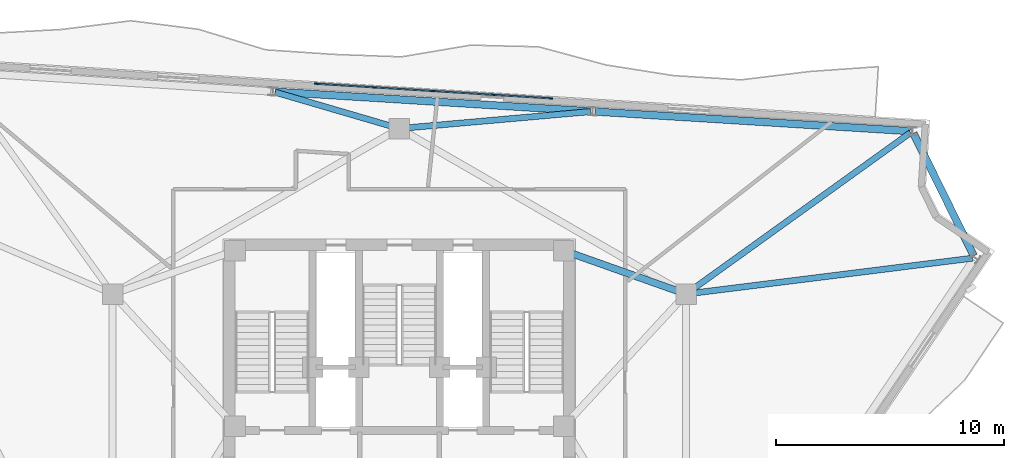
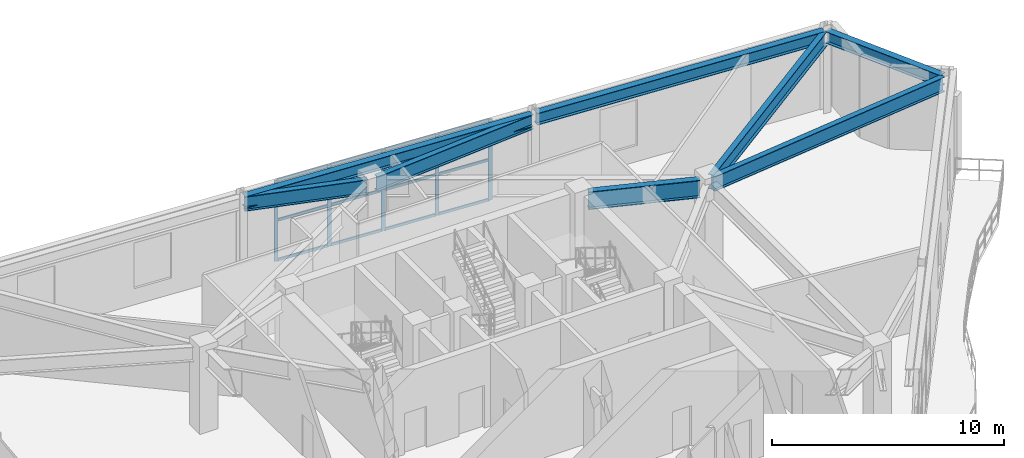
# One storey, part 8 of 15: 17 members, 8 beams, 1 element without a shape of its own.
"""IFC4 building model written with IfcOpenShell, lengths in metres."""

from ifc_helpers import new_model, si_unit, direction, frame, origin, origin_2d, place, context, subcontext, project, spatial, rectangle, i_section, extrude, material, layer, layer_set, material_profile, profile_set, type_object, element, aggregate, save


model = new_model("IFC4")

# Units and contexts
model_context = context("Model", 3, precision=1e-05, world=origin(), true_north=direction((0.0, 1.0)))
body_context = subcontext(model_context, "Body", "Model", "MODEL_VIEW")
ifc_project = project(units=[si_unit("LENGTHUNIT", "METRE"), si_unit("AREAUNIT", "SQUARE_METRE"), si_unit("VOLUMEUNIT", "CUBIC_METRE"), si_unit("PLANEANGLEUNIT", "RADIAN"), si_unit("MASSUNIT", "GRAM", prefix="KILO")], contexts=[model_context])

# Site, building, storey
site_placement = place(None, origin())
site = spatial("IfcSite", under=ifc_project, at=site_placement, CompositionType="ELEMENT")
building_placement = place(site_placement, origin())
building = spatial("IfcBuilding", under=site, at=building_placement, Name="Apsidion Concourse Tower", CompositionType="ELEMENT")
storey_placement = place(building_placement, frame((0.0, 0.0, 323.39990234375)))
storey = spatial("IfcBuildingStorey", under=building, at=storey_placement, Name="L76", CompositionType="ELEMENT", Elevation=323.39990234375)

# Beams
ifc_material_1 = material(Name="Structural steel ASTM A992 Grade 50", Category="steel")
ifc_material_profile_1 = material_profile(ifc_material_1, i_section(OverallWidth=0.31005859375, OverallDepth=0.931884765625, WebThickness=0.02099609375, FlangeThickness=0.034423828125, at=origin_2d()), Name="W36X210")
ifc_profile_set_1 = profile_set([ifc_material_profile_1], Name="Structural steel ASTM A992 Grade 50")
beam_type_1 = type_object("IfcBeamType", Name="BM-G-W36", PredefinedType="USERDEFINED", material=ifc_profile_set_1)
beam_1_placement = place(storey_placement, frame((12.18310546875, 7.383544921875, 3.833984375), z_axis=(-0.942533844539, 0.334110688094, 0.0), x_axis=(-0.334110688094, -0.942533844539, 0.0)))
element("IfcBeam", 1, at=beam_1_placement, inside=storey, type_object=beam_type_1, Name="L76 Core Coupling Girder IC3-SC4", ObjectType="GIRDER", PredefinedType="USERDEFINED", context=body_context, shape_type="SweptSolid", body=[
    extrude(i_section(OverallWidth=0.31005859375, OverallDepth=0.931884765625, WebThickness=0.02099609375, FlangeThickness=0.034423828125, at=origin_2d()), origin(), (0.0, 0.0, 1.0), 4.886962890625),
])
ifc_material_profile_2 = material_profile(ifc_material_1, i_section(OverallWidth=0.324951171875, OverallDepth=0.616943359375, WebThickness=0.013916015625, FlangeThickness=0.021484375, at=origin_2d()), Name="W24X117")
ifc_profile_set_2 = profile_set([ifc_material_profile_2], Name="Structural steel ASTM A992 Grade 50")
beam_type_2 = type_object("IfcBeamType", Name="BM-SP-W24", PredefinedType="SPANDREL", material=ifc_profile_set_2)
beam_2_placement = place(storey_placement, frame((25.164794921875, 8.922119140625, 3.99169921875), z_axis=(-0.441884134894, 0.897072132734, 0.0), x_axis=(-0.897072132734, -0.441884134894, 0.0)))
element("IfcBeam", 2, at=beam_2_placement, inside=storey, type_object=beam_type_2, Name="L76 Perimeter Spandrel Girder SP-08", PredefinedType="SPANDREL", context=body_context, shape_type="SweptSolid", body=[
    extrude(i_section(OverallWidth=0.324951171875, OverallDepth=0.616943359375, WebThickness=0.013916015625, FlangeThickness=0.021484375, at=origin_2d()), origin(), (0.0, 0.0, 1.0), 5.982421875),
])
beam_3_placement = place(storey_placement, frame((22.377197265625, 14.384765625, 3.99169921875), z_axis=(-0.998077561187, 0.06197726886, 0.0), x_axis=(-0.06197726886, -0.998077561187, 0.0)))
element("IfcBeam", 3, at=beam_3_placement, inside=storey, type_object=beam_type_2, Name="L76 Perimeter Spandrel Girder SP-09", PredefinedType="SPANDREL", context=body_context, shape_type="SweptSolid", body=[
    extrude(i_section(OverallWidth=0.324951171875, OverallDepth=0.616943359375, WebThickness=0.013916015625, FlangeThickness=0.021484375, at=origin_2d()), origin(), (0.0, 0.0, 1.0), 13.83447265625),
])
beam_4_placement = place(storey_placement, frame((8.36962890625, 15.254638671875, 3.99169921875), z_axis=(-0.998076537228, 0.061993756414, 0.0), x_axis=(-0.061993756414, -0.998076537228, 0.0)))
element("IfcBeam", 4, at=beam_4_placement, inside=storey, type_object=beam_type_2, Name="L76 Perimeter Spandrel Girder SP-10", PredefinedType="SPANDREL", context=body_context, shape_type="SweptSolid", body=[
    extrude(i_section(OverallWidth=0.324951171875, OverallDepth=0.616943359375, WebThickness=0.013916015625, FlangeThickness=0.021484375, at=origin_2d()), origin(), (0.0, 0.0, 1.0), 13.834716796875),
])
ifc_material_profile_3 = material_profile(ifc_material_1, i_section(OverallWidth=0.26806640625, OverallDepth=0.77001953125, WebThickness=0.015625, FlangeThickness=0.025390625, at=origin_2d()), Name="W30X132")
ifc_profile_set_3 = profile_set([ifc_material_profile_3], Name="Structural steel ASTM A992 Grade 50")
beam_type_3 = type_object("IfcBeamType", Name="BM-SP-W30", PredefinedType="SPANDREL", material=ifc_profile_set_3)
beam_5_placement = place(storey_placement, frame((12.7783203125, 7.27734375, 3.9150390625), z_axis=(0.99226487514, 0.124138702924, 0.0), x_axis=(-0.124138702924, 0.99226487514, 0.0)))
element("IfcBeam", 5, at=beam_5_placement, inside=storey, type_object=beam_type_3, Name="L76 Radial Floor Girder RAD-08", PredefinedType="SPANDREL", context=body_context, shape_type="SweptSolid", body=[
    extrude(i_section(OverallWidth=0.26806640625, OverallDepth=0.77001953125, WebThickness=0.015625, FlangeThickness=0.025390625, at=origin_2d()), origin(), (0.0, 0.0, 1.0), 12.427490234375),
])
beam_6_placement = place(storey_placement, frame((12.738525390625, 7.37841796875, 3.9150390625), z_axis=(0.811991962087, 0.583668616174, 0.0), x_axis=(-0.583668616174, 0.811991962087, 0.0)))
element("IfcBeam", 6, at=beam_6_placement, inside=storey, type_object=beam_type_3, Name="L76 Radial Floor Girder RAD-09", PredefinedType="SPANDREL", context=body_context, shape_type="SweptSolid", body=[
    extrude(i_section(OverallWidth=0.26806640625, OverallDepth=0.77001953125, WebThickness=0.015625, FlangeThickness=0.025390625, at=origin_2d()), origin(), (0.0, 0.0, 1.0), 11.8935546875),
])
beam_7_placement = place(storey_placement, frame((0.218994140625, 14.519287109375, 3.9150390625), z_axis=(0.99611631584, 0.088047063082, 0.0), x_axis=(-0.088047063082, 0.99611631584, 0.0)))
element("IfcBeam", 7, at=beam_7_placement, inside=storey, type_object=beam_type_3, Name="L76 Radial Floor Girder RAD-10", PredefinedType="SPANDREL", context=body_context, shape_type="SweptSolid", body=[
    extrude(i_section(OverallWidth=0.26806640625, OverallDepth=0.77001953125, WebThickness=0.015625, FlangeThickness=0.025390625, at=origin_2d()), origin(), (0.0, 0.0, 1.0), 8.1826171875),
])
beam_8_placement = place(storey_placement, frame((-0.211181640625, 14.561767578125, 3.9150390625), z_axis=(-0.959858385002, 0.28048508114, 0.0), x_axis=(-0.28048508114, -0.959858385002, 0.0)))
element("IfcBeam", 8, at=beam_8_placement, inside=storey, type_object=beam_type_3, Name="L76 Radial Floor Girder RAD-11", PredefinedType="SPANDREL", context=body_context, shape_type="SweptSolid", body=[
    extrude(i_section(OverallWidth=0.26806640625, OverallDepth=0.77001953125, WebThickness=0.015625, FlangeThickness=0.025390625, at=origin_2d()), origin(), (0.0, 0.0, 1.0), 5.44970703125),
])

# Curtain wall, members
ifc_material_2 = material(Name="Insulated laminated low-E glass", Category="glass")
ifc_layer = layer(ifc_material_2, 0.22998046875)
ifc_layer_set = layer_set([ifc_layer], Name="Insulated laminated low-E glass")
curtain_wall_type = type_object("IfcCurtainWallType", Name="CW-SYS-05", PredefinedType="NOTDEFINED", material=ifc_layer_set)
curtain_wall_placement = place(storey_placement, origin())
curtain_wall = element("IfcCurtainWall", 9, at=curtain_wall_placement, inside=storey, type_object=curtain_wall_type, Name="L76 Sky Observatory Curtain Wall 1", PredefinedType="NOTDEFINED")
ifc_material_3 = material(Name="Anodised aluminium EN AW-6063 T6", Category="aluminium")
ifc_material_profile_4 = material_profile(ifc_material_3, rectangle(XDim=0.06494140625, YDim=0.179931640625, at=origin_2d()), Name="ALU MULLION 65x180")
ifc_profile_set_4 = profile_set([ifc_material_profile_4], Name="Anodised aluminium EN AW-6063 T6")
member_type_1 = type_object("IfcMemberType", Name="CWM-65X180", PredefinedType="MULLION", material=ifc_profile_set_4)
member_1_placement = place(storey_placement, frame((-3.640625, 16.462890625, 0.0), z_axis=(0.0, 0.0, 1.0), x_axis=(0.062249124598, 0.99806064269, 0.0)))
member_1 = element("IfcMember", 10, at=member_1_placement, type_object=member_type_1, Name="CW-05 mullion 1", PredefinedType="MULLION", context=body_context, shape_type="SweptSolid", body=[
    extrude(rectangle(XDim=0.06494140625, YDim=0.179931640625, at=origin_2d()), origin(), (0.0, 0.0, 1.0), 4.25),
])
member_2_placement = place(storey_placement, frame((-1.08740234375, 16.303466796875, 0.0), z_axis=(0.0, 0.0, 1.0), x_axis=(0.062249124598, 0.99806064269, 0.0)))
member_2 = element("IfcMember", 11, at=member_2_placement, type_object=member_type_1, Name="CW-05 mullion 2", PredefinedType="MULLION", context=body_context, shape_type="SweptSolid", body=[
    extrude(rectangle(XDim=0.06494140625, YDim=0.179931640625, at=origin_2d()), origin(), (0.0, 0.0, 1.0), 4.25),
])
member_3_placement = place(storey_placement, frame((1.49853515625, 16.142333984375, 0.0), z_axis=(0.0, 0.0, 1.0), x_axis=(0.062249124598, 0.99806064269, 0.0)))
member_3 = element("IfcMember", 12, at=member_3_placement, type_object=member_type_1, Name="CW-05 mullion 3", PredefinedType="MULLION", context=body_context, shape_type="SweptSolid", body=[
    extrude(rectangle(XDim=0.06494140625, YDim=0.179931640625, at=origin_2d()), origin(), (0.0, 0.0, 1.0), 4.25),
])
member_4_placement = place(storey_placement, frame((4.084228515625, 15.98095703125, 0.0), z_axis=(0.0, 0.0, 1.0), x_axis=(0.062249124598, 0.99806064269, 0.0)))
member_4 = element("IfcMember", 13, at=member_4_placement, type_object=member_type_1, Name="CW-05 mullion 4", PredefinedType="MULLION", context=body_context, shape_type="SweptSolid", body=[
    extrude(rectangle(XDim=0.06494140625, YDim=0.179931640625, at=origin_2d()), origin(), (0.0, 0.0, 1.0), 4.25),
])
member_5_placement = place(storey_placement, frame((6.637451171875, 15.82177734375, 0.0), z_axis=(0.0, 0.0, 1.0), x_axis=(0.062249124598, 0.99806064269, 0.0)))
member_5 = element("IfcMember", 14, at=member_5_placement, type_object=member_type_1, Name="CW-05 mullion 5", PredefinedType="MULLION", context=body_context, shape_type="SweptSolid", body=[
    extrude(rectangle(XDim=0.06494140625, YDim=0.179931640625, at=origin_2d()), origin(), (0.0, 0.0, 1.0), 4.25),
])
ifc_material_profile_5 = material_profile(ifc_material_3, rectangle(XDim=0.06494140625, YDim=0.139892578125, at=origin_2d()), Name="ALU TRANSOM 65x140")
ifc_profile_set_5 = profile_set([ifc_material_profile_5], Name="Anodised aluminium EN AW-6063 T6")
member_type_2 = type_object("IfcMemberType", Name="CWT-65X140", PredefinedType="USERDEFINED", material=ifc_profile_set_5)
member_6_placement = place(storey_placement, frame((-3.608154296875, 16.460693359375, 0.03271484375), z_axis=(0.998064752572, -0.062183194455, 0.0), x_axis=(0.062183194455, 0.998064752572, 0.0)))
member_6 = element("IfcMember", 15, at=member_6_placement, type_object=member_type_2, Name="CW-05 transom 1.1", ObjectType="TRANSOM", PredefinedType="USERDEFINED", context=body_context, shape_type="SweptSolid", body=[
    extrude(rectangle(XDim=0.06494140625, YDim=0.139892578125, at=origin_2d()), origin(), (0.0, 0.0, 1.0), 2.4931640625),
])
member_7_placement = place(storey_placement, frame((-3.608154296875, 16.460693359375, 2.125), z_axis=(0.998064752572, -0.062183194455, 0.0), x_axis=(0.062183194455, 0.998064752572, 0.0)))
member_7 = element("IfcMember", 16, at=member_7_placement, type_object=member_type_2, Name="CW-05 transom 1.2", ObjectType="TRANSOM", PredefinedType="USERDEFINED", context=body_context, shape_type="SweptSolid", body=[
    extrude(rectangle(XDim=0.06494140625, YDim=0.139892578125, at=origin_2d()), origin(), (0.0, 0.0, 1.0), 2.4931640625),
])
member_8_placement = place(storey_placement, frame((-3.608154296875, 16.460693359375, 4.217529296875), z_axis=(0.998064752572, -0.062183194455, 0.0), x_axis=(0.062183194455, 0.998064752572, 0.0)))
member_8 = element("IfcMember", 17, at=member_8_placement, type_object=member_type_2, Name="CW-05 transom 1.3", ObjectType="TRANSOM", PredefinedType="USERDEFINED", context=body_context, shape_type="SweptSolid", body=[
    extrude(rectangle(XDim=0.06494140625, YDim=0.139892578125, at=origin_2d()), origin(), (0.0, 0.0, 1.0), 2.4931640625),
])
member_9_placement = place(storey_placement, frame((-1.054931640625, 16.301513671875, 0.03271484375), z_axis=(0.998060843683, -0.06224590193, 0.0), x_axis=(0.06224590193, 0.998060843683, 0.0)))
member_9 = element("IfcMember", 18, at=member_9_placement, type_object=member_type_2, Name="CW-05 transom 2.1", ObjectType="TRANSOM", PredefinedType="USERDEFINED", context=body_context, shape_type="SweptSolid", body=[
    extrude(rectangle(XDim=0.06494140625, YDim=0.139892578125, at=origin_2d()), origin(), (0.0, 0.0, 1.0), 2.52587890625),
])
member_10_placement = place(storey_placement, frame((-1.054931640625, 16.301513671875, 2.125), z_axis=(0.998060843683, -0.06224590193, 0.0), x_axis=(0.06224590193, 0.998060843683, 0.0)))
member_10 = element("IfcMember", 19, at=member_10_placement, type_object=member_type_2, Name="CW-05 transom 2.2", ObjectType="TRANSOM", PredefinedType="USERDEFINED", context=body_context, shape_type="SweptSolid", body=[
    extrude(rectangle(XDim=0.06494140625, YDim=0.139892578125, at=origin_2d()), origin(), (0.0, 0.0, 1.0), 2.52587890625),
])
member_11_placement = place(storey_placement, frame((-1.054931640625, 16.301513671875, 4.217529296875), z_axis=(0.998060843683, -0.06224590193, 0.0), x_axis=(0.06224590193, 0.998060843683, 0.0)))
member_11 = element("IfcMember", 20, at=member_11_placement, type_object=member_type_2, Name="CW-05 transom 2.3", ObjectType="TRANSOM", PredefinedType="USERDEFINED", context=body_context, shape_type="SweptSolid", body=[
    extrude(rectangle(XDim=0.06494140625, YDim=0.139892578125, at=origin_2d()), origin(), (0.0, 0.0, 1.0), 2.52587890625),
])
member_12_placement = place(storey_placement, frame((1.531005859375, 16.14013671875, 0.03271484375), z_axis=(0.998060469133, -0.062251907227, 0.0), x_axis=(0.062251907227, 0.998060469133, 0.0)))
member_12 = element("IfcMember", 21, at=member_12_placement, type_object=member_type_2, Name="CW-05 transom 3.1", ObjectType="TRANSOM", PredefinedType="USERDEFINED", context=body_context, shape_type="SweptSolid", body=[
    extrude(rectangle(XDim=0.06494140625, YDim=0.139892578125, at=origin_2d()), origin(), (0.0, 0.0, 1.0), 2.525634765625),
])
member_13_placement = place(storey_placement, frame((1.531005859375, 16.14013671875, 2.125), z_axis=(0.998060469133, -0.062251907227, 0.0), x_axis=(0.062251907227, 0.998060469133, 0.0)))
member_13 = element("IfcMember", 22, at=member_13_placement, type_object=member_type_2, Name="CW-05 transom 3.2", ObjectType="TRANSOM", PredefinedType="USERDEFINED", context=body_context, shape_type="SweptSolid", body=[
    extrude(rectangle(XDim=0.06494140625, YDim=0.139892578125, at=origin_2d()), origin(), (0.0, 0.0, 1.0), 2.525634765625),
])
member_14_placement = place(storey_placement, frame((1.531005859375, 16.14013671875, 4.217529296875), z_axis=(0.998060469133, -0.062251907227, 0.0), x_axis=(0.062251907227, 0.998060469133, 0.0)))
member_14 = element("IfcMember", 23, at=member_14_placement, type_object=member_type_2, Name="CW-05 transom 3.3", ObjectType="TRANSOM", PredefinedType="USERDEFINED", context=body_context, shape_type="SweptSolid", body=[
    extrude(rectangle(XDim=0.06494140625, YDim=0.139892578125, at=origin_2d()), origin(), (0.0, 0.0, 1.0), 2.525634765625),
])
member_15_placement = place(storey_placement, frame((4.11669921875, 15.97900390625, 0.03271484375), z_axis=(0.998059050045, -0.062274654746, 0.0), x_axis=(0.062274654746, 0.998059050045, 0.0)))
member_15 = element("IfcMember", 24, at=member_15_placement, type_object=member_type_2, Name="CW-05 transom 4.1", ObjectType="TRANSOM", PredefinedType="USERDEFINED", context=body_context, shape_type="SweptSolid", body=[
    extrude(rectangle(XDim=0.06494140625, YDim=0.139892578125, at=origin_2d()), origin(), (0.0, 0.0, 1.0), 2.493408203125),
])
member_16_placement = place(storey_placement, frame((4.11669921875, 15.97900390625, 2.125), z_axis=(0.998059050045, -0.062274654746, 0.0), x_axis=(0.062274654746, 0.998059050045, 0.0)))
member_16 = element("IfcMember", 25, at=member_16_placement, type_object=member_type_2, Name="CW-05 transom 4.2", ObjectType="TRANSOM", PredefinedType="USERDEFINED", context=body_context, shape_type="SweptSolid", body=[
    extrude(rectangle(XDim=0.06494140625, YDim=0.139892578125, at=origin_2d()), origin(), (0.0, 0.0, 1.0), 2.493408203125),
])
member_17_placement = place(storey_placement, frame((4.11669921875, 15.97900390625, 4.217529296875), z_axis=(0.998059050045, -0.062274654746, 0.0), x_axis=(0.062274654746, 0.998059050045, 0.0)))
member_17 = element("IfcMember", 26, at=member_17_placement, type_object=member_type_2, Name="CW-05 transom 4.3", ObjectType="TRANSOM", PredefinedType="USERDEFINED", context=body_context, shape_type="SweptSolid", body=[
    extrude(rectangle(XDim=0.06494140625, YDim=0.139892578125, at=origin_2d()), origin(), (0.0, 0.0, 1.0), 2.493408203125),
])
aggregate(curtain_wall, [member_1, member_2, member_3, member_4, member_5, member_6, member_7, member_8, member_9, member_10, member_11, member_12, member_13, member_14, member_15, member_16, member_17])

save(model, "model.ifc")
